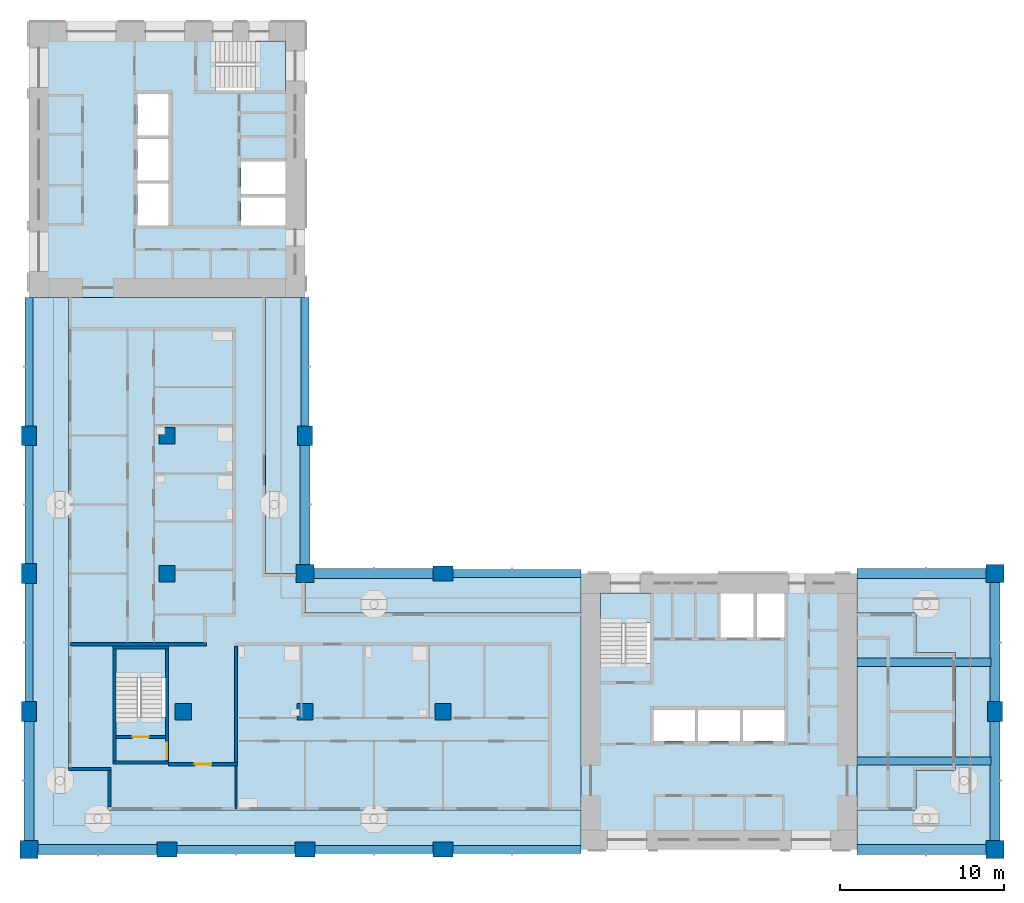
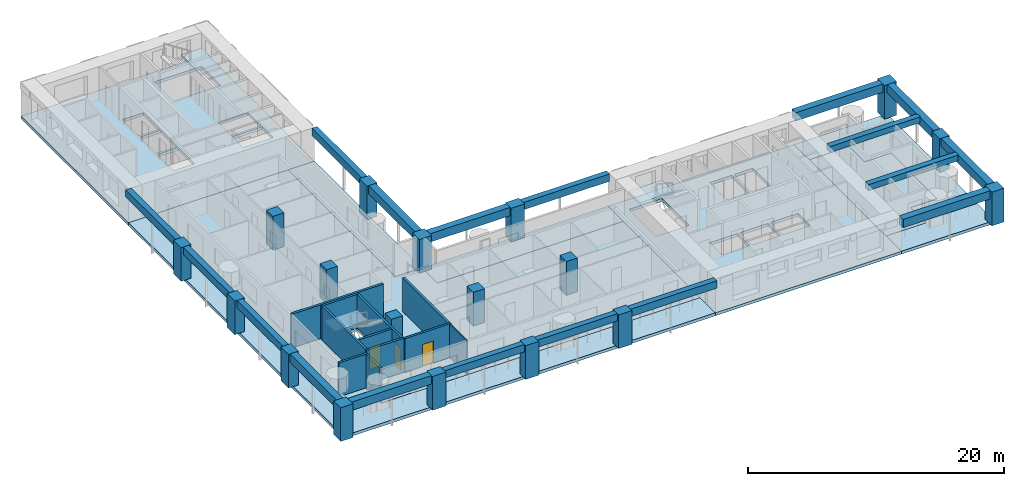
# One storey, part 1 of 13: 18 beams, 18 columns, 12 slabs, 11 walls, 3 doors, 3 openings, 3 elements without a shape of their own.
"""IFC4 building model written with IfcOpenShell, lengths in metres."""

import ifcopenshell
import ifcopenshell.guid

model = None  # the IFC model being written
_history = None  # IfcOwnerHistory: only IFC2X3 demands one
_inside = {}  # id of a spatial element -> (the spatial element, [elements in it])
_under = {}  # id of a project, library or spatial element -> (it, [spatial elements below it])
_declared = {}  # id of a project -> (the project, [libraries it declares])
_typed = {}  # id of a type object -> (the type object, [elements of that type])
_made_of = {}  # id of a material, layer set ... -> (it, [elements and type objects made of it])


def new_model(schema):
    """Start an empty IFC model of exactly this schema.

    Asked for "IFC4X3", IfcOpenShell would pick the latest addendum, in which some entities
    have other attributes; the version numbers below select the first issue.
    IFC2X3 requires an IfcOwnerHistory on every rooted entity: one is made here for all.
    """
    global model, _history
    if schema == "IFC4X3":
        model = ifcopenshell.file(schema_version=(4, 3, 0, 0))
    else:
        model = ifcopenshell.file(schema=schema)
    _inside.clear()
    _under.clear()
    _declared.clear()
    _typed.clear()
    _made_of.clear()
    _history = None
    if model.schema == "IFC2X3":
        org = make("IfcOrganization", Name="unknown")
        user = make(
            "IfcPersonAndOrganization",
            ThePerson=make("IfcPerson", FamilyName="unknown"),
            TheOrganization=org,
        )
        app = make(
            "IfcApplication",
            ApplicationDeveloper=org,
            Version="unknown",
            ApplicationFullName="unknown",
            ApplicationIdentifier="unknown",
        )
        _history = make(
            "IfcOwnerHistory",
            OwningUser=user,
            OwningApplication=app,
            ChangeAction="ADDED",
            CreationDate=0,
        )
    return model


def make(cls, **values):
    """One entity of the class cls with the attributes given. An attribute that is None is left unset."""
    return model.create_entity(
        cls, **{name: value for name, value in values.items() if value is not None}
    )


def rooted(cls, **values):
    """An entity with a GlobalId (a new one), such as an element, a storey or a relation."""
    return make(cls, GlobalId=ifcopenshell.guid.new(), OwnerHistory=_history, **values)


def si_unit(unit_type, name, prefix=None):
    """IfcSIUnit, for example si_unit("LENGTHUNIT", "METRE", prefix="MILLI")."""
    return make("IfcSIUnit", UnitType=unit_type, Prefix=prefix, Name=name)


def assignment(units):
    """IfcUnitAssignment: the units of a project."""
    return None if units is None else make("IfcUnitAssignment", Units=units)


def point(xyz):
    """IfcCartesianPoint."""
    return None if xyz is None else make("IfcCartesianPoint", Coordinates=xyz)


def direction(xyz):
    """IfcDirection."""
    return None if xyz is None else make("IfcDirection", DirectionRatios=xyz)


def frame(location, z_axis=None, x_axis=None):
    """IfcAxis2Placement3D, a coordinate frame: its origin and axes. An axis left out is left unset."""
    return make(
        "IfcAxis2Placement3D",
        Location=point(location),
        Axis=direction(z_axis),
        RefDirection=direction(x_axis),
    )


def frame_2d(location, x_axis=None):
    """IfcAxis2Placement2D, a coordinate frame in the plane: its origin and x axis."""
    return make(
        "IfcAxis2Placement2D", Location=point(location), RefDirection=direction(x_axis)
    )


def origin():
    """The frame at (0, 0, 0) with its axes left unset."""
    return frame((0.0, 0.0, 0.0))


def origin_2d():
    """The frame at (0, 0) in the plane with its x axis left unset."""
    return frame_2d((0.0, 0.0))


def place(relative_to, where):
    """IfcLocalPlacement: puts the frame where relative to a parent placement (None: the world)."""
    return make(
        "IfcLocalPlacement", PlacementRelTo=relative_to, RelativePlacement=where
    )


def context(
    kind, dimensions, precision=None, world=None, true_north=None, identifier=None
):
    """IfcGeometricRepresentationContext, for example the 3D "Model" context."""
    return make(
        "IfcGeometricRepresentationContext",
        ContextIdentifier=identifier,
        ContextType=kind,
        CoordinateSpaceDimension=dimensions,
        Precision=precision,
        WorldCoordinateSystem=world,
        TrueNorth=true_north,
    )


def subcontext(parent, identifier, kind, view, scale=None):
    """IfcGeometricRepresentationSubContext, for example "Body" below "Model"."""
    return make(
        "IfcGeometricRepresentationSubContext",
        ContextIdentifier=identifier,
        ContextType=kind,
        ParentContext=parent,
        TargetScale=scale,
        TargetView=view,
    )


def project(units=None, contexts=None):
    """IfcProject with its units and contexts."""
    return rooted(
        "IfcProject",
        Name="project",
        RepresentationContexts=contexts,
        UnitsInContext=assignment(units),
    )


def spatial(cls, under=None, at=None, **own):
    """A site, building, storey or space (cls), placed at a placement, below another one or the project."""
    s = rooted(cls, ObjectPlacement=at, **own)
    if under is not None:
        _under.setdefault(under.id(), (under, []))[1].append(s)
    return s


def polyline(points):
    """IfcPolyline through the points."""
    return make("IfcPolyline", Points=[point(p) for p in points])


def profile(cls, at=None, kind="AREA", **sizes):
    """A parametric profile (cls). Its sizes go by their IFC names, for example OverallWidth=200.0."""
    return make(cls, ProfileType=kind, Position=at, **sizes)


def rectangle(**sizes):
    """IfcRectangleProfileDef."""
    return profile("IfcRectangleProfileDef", **sizes)


def outline(outer, holes=None, kind="AREA"):
    """IfcArbitraryClosedProfileDef: a profile drawn as a closed curve; with holes, ...WithVoids."""
    if holes is None:
        return make("IfcArbitraryClosedProfileDef", ProfileType=kind, OuterCurve=outer)
    return make(
        "IfcArbitraryProfileDefWithVoids",
        ProfileType=kind,
        OuterCurve=outer,
        InnerCurves=holes,
    )


def extrude(swept, where, along, depth):
    """IfcExtrudedAreaSolid: the profile swept, set in the frame where, extruded along a direction by depth."""
    return make(
        "IfcExtrudedAreaSolid",
        SweptArea=swept,
        Position=where,
        ExtrudedDirection=direction(along),
        Depth=depth,
    )


def shape(context_of_items, identifier, shape_type, items):
    """IfcShapeRepresentation: the items that make up one representation, for example the "Body"."""
    return make(
        "IfcShapeRepresentation",
        ContextOfItems=context_of_items,
        RepresentationIdentifier=identifier,
        RepresentationType=shape_type,
        Items=items,
    )


def material(Name=None, Category=None):
    """IfcMaterial."""
    return make("IfcMaterial", Name=Name, Category=Category)


def layer(
    of_material, thickness, ventilated=None, Name=None, Category=None, Priority=None
):
    """IfcMaterialLayer: one layer of a wall or slab, of a material (None: an air gap)."""
    return make(
        "IfcMaterialLayer",
        Material=of_material,
        LayerThickness=thickness,
        IsVentilated=ventilated,
        Name=Name,
        Category=Category,
        Priority=Priority,
    )


def layer_set(layers, Name=None):
    """IfcMaterialLayerSet."""
    return make("IfcMaterialLayerSet", MaterialLayers=layers, LayerSetName=Name)


def material_profile(
    of_material, cross_section, Name=None, Category=None, Priority=None
):
    """IfcMaterialProfile: a cross section and its material."""
    return make(
        "IfcMaterialProfile",
        Name=Name,
        Material=of_material,
        Profile=cross_section,
        Priority=Priority,
        Category=Category,
    )


def profile_set(profiles, Name=None, composite=None):
    """IfcMaterialProfileSet."""
    return make(
        "IfcMaterialProfileSet",
        Name=Name,
        MaterialProfiles=profiles,
        CompositeProfile=composite,
    )


def made_of(thing, what):
    """Note that an element or type object is made of a material, layer set ...; save() writes the relation."""
    if what is not None:
        _made_of.setdefault(what.id(), (what, []))[1].append(thing)
    return thing


def type_object(cls, material=None, **own):
    """A type object (cls), such as IfcWallType, which elements share."""
    return made_of(rooted(cls, **own), material)


def element(
    cls,
    number,
    at=None,
    inside=None,
    cuts=None,
    type_object=None,
    material=None,
    context=None,
    identifier="Body",
    shape_type=None,
    held_by="IfcProductDefinitionShape",
    body=None,
    shapes=None,
    **own,
):
    """One element of the class cls, such as IfcWall. Its Tag is "e" and its number.

    at: its placement. inside: the storey or other place that contains it. cuts: it is an
    opening in that element (IfcRelVoidsElement). A single representation is given by context,
    identifier, shape_type and body (its items); several are given by shapes. held_by: the class
    of the entity that holds the representations. save() writes the other relations.
    """
    e = rooted(cls, Tag="e%d" % number, ObjectPlacement=at, **own)
    if body is not None:
        shapes = [shape(context, identifier, shape_type, body)]
    if shapes is not None:
        e.Representation = make(held_by, Representations=shapes)
    if inside is not None:
        _inside.setdefault(inside.id(), (inside, []))[1].append(e)
    if cuts is not None:
        rooted(
            "IfcRelVoidsElement", RelatingBuildingElement=cuts, RelatedOpeningElement=e
        )
    if type_object is not None:
        _typed.setdefault(type_object.id(), (type_object, []))[1].append(e)
    return made_of(e, material)


def fill(opening, filler):
    """IfcRelFillsElement: the door or window that sits in an opening."""
    return rooted(
        "IfcRelFillsElement",
        RelatingOpeningElement=opening,
        RelatedBuildingElement=filler,
    )


def aggregate(whole, parts):
    """IfcRelAggregates: a whole, such as a stair, and the parts it consists of."""
    return rooted("IfcRelAggregates", RelatingObject=whole, RelatedObjects=parts)


def save(model, path):
    """Write the relations noted so far, then the file.

    IfcRelAggregates (storeys below a building ...), IfcRelContainedInSpatialStructure (elements
    in a storey), IfcRelDefinesByType, IfcRelAssociatesMaterial and IfcRelDeclares: one each for
    every whole, place, type object, material and project.
    """
    for whole, parts in _under.values():
        aggregate(whole, parts)
    for where, things in _inside.values():
        rooted(
            "IfcRelContainedInSpatialStructure",
            RelatedElements=things,
            RelatingStructure=where,
        )
    for kind, things in _typed.values():
        rooted("IfcRelDefinesByType", RelatedObjects=things, RelatingType=kind)
    for what, things in _made_of.values():
        rooted("IfcRelAssociatesMaterial", RelatedObjects=things, RelatingMaterial=what)
    for by, libraries in _declared.values():
        rooted("IfcRelDeclares", RelatingContext=by, RelatedDefinitions=libraries)
    model.write(path)


model = new_model("IFC4")

# Units and contexts
model_context = context("Model", 3, precision=1e-05, world=origin(), true_north=direction((0.0, 1.0)))
body_context = subcontext(model_context, "Body", "Model", "MODEL_VIEW")
ifc_project = project(units=[si_unit("LENGTHUNIT", "METRE"), si_unit("AREAUNIT", "SQUARE_METRE"), si_unit("VOLUMEUNIT", "CUBIC_METRE"), si_unit("PLANEANGLEUNIT", "RADIAN"), si_unit("MASSUNIT", "GRAM", prefix="KILO")], contexts=[model_context])

# Site, building, storey
site_placement = place(None, origin())
site = spatial("IfcSite", under=ifc_project, at=site_placement, CompositionType="ELEMENT")
building_placement = place(site_placement, origin())
building = spatial("IfcBuilding", under=site, at=building_placement, Name="Vermilion Gate Residences", CompositionType="ELEMENT")
storey_placement = place(building_placement, frame((0.0, 0.0, 165.199951171875)))
storey = spatial("IfcBuildingStorey", under=building, at=storey_placement, Name="L42", CompositionType="ELEMENT", Elevation=165.199951171875)

# Columns
ifc_material_1 = material(Name="Concrete C60", Category="concrete")
ifc_material_profile_1 = material_profile(ifc_material_1, rectangle(XDim=1.0, YDim=1.0, at=origin_2d()), Name="RC-1000x1000")
ifc_profile_set_1 = profile_set([ifc_material_profile_1], Name="Concrete C60")
column_type_1 = type_object("IfcColumnType", Name="RC COLUMN 1000 X 1000 C60", PredefinedType="COLUMN", material=ifc_profile_set_1)
for number, where, z_axis, x_axis, name in (
    (1, (17.800048828125, 16.800048828125, 0.0), (0.0, 0.0, 1.0), (1.0, 0.0, 0.0), "Column 3-C L42"),
    (2, (16.800048828125, 25.199951171875, 0.0), (0.0, 0.0, 1.0), (1.0, 0.0, 0.0), "Column 3-D L42"),
    (3, (16.800048828125, 33.60009765625, 0.0), (0.0, 0.0, 1.0), (1.0, 0.0, 0.0), "Column 3-E L42"),
    (4, (25.199951171875, 16.800048828125, 0.0), (0.0, 0.0, 1.0), (1.0, 0.0, 0.0), "Column 4-C L42"),
    (5, (33.60009765625, 16.800048828125, 0.0), (0.0, 0.0, 1.0), (1.0, 0.0, 0.0), "Column 5-C L42"),
):
    element("IfcColumn", number, at=place(storey_placement, frame(where, z_axis=z_axis, x_axis=x_axis)), inside=storey, type_object=column_type_1, Name=name, PredefinedType="COLUMN", context=body_context, shape_type="SweptSolid", body=[
        extrude(rectangle(XDim=1.0, YDim=1.0, at=origin_2d()), origin(), (0.0, 0.0, 1.0), 3.219970703125),
    ])
ifc_material_2 = material(Name="Concrete C60", Category="concrete")
ifc_material_profile_2 = material_profile(ifc_material_2, rectangle(XDim=1.10009765625, YDim=1.10009765625, at=origin_2d()), Name="RC-1100x1100")
ifc_profile_set_2 = profile_set([ifc_material_profile_2], Name="Concrete C60")
column_type_2 = type_object("IfcColumnType", Name="RC COLUMN 1100 X 1100 C60", PredefinedType="COLUMN", material=ifc_profile_set_2)
for number, where, z_axis, x_axis, name in (
    (6, (8.39990234375, 8.39990234375, 0.0), (0.0, 0.0, 1.0), (1.0, 0.0, 0.0), "Column 2-B L42"),
    (7, (25.199951171875, 25.199951171875, 0.0), (0.0, 0.0, 1.0), (1.0, 0.0, 0.0), "Column 4-D L42"),
    (8, (67.199951171875, 8.39990234375, 0.0), (0.0, 0.0, 1.0), (1.0, 0.0, 0.0), "Column 9-B L42"),
    (9, (67.199951171875, 25.199951171875, 0.0), (0.0, 0.0, 1.0), (1.0, 0.0, 0.0), "Column 9-D L42"),
):
    element("IfcColumn", number, at=place(storey_placement, frame(where, z_axis=z_axis, x_axis=x_axis)), inside=storey, type_object=column_type_2, Name=name, PredefinedType="COLUMN", context=body_context, shape_type="SweptSolid", body=[
        extrude(rectangle(XDim=1.10009765625, YDim=1.10009765625, at=origin_2d()), origin(), (0.0, 0.0, 1.0), 3.219970703125),
    ])
ifc_material_3 = material(Name="Concrete C60", Category="concrete")
ifc_material_profile_3 = material_profile(ifc_material_3, rectangle(XDim=1.199951171875, YDim=0.89990234375, at=origin_2d()), Name="RC-1200x900")
ifc_profile_set_3 = profile_set([ifc_material_profile_3], Name="Concrete C60")
column_type_3 = type_object("IfcColumnType", Name="RC COLUMN 1200 X 900 C60", PredefinedType="COLUMN", material=ifc_profile_set_3)
for number, where, z_axis, x_axis, name in (
    (10, (8.39990234375, 16.800048828125, 0.0), (0.0, 0.0, 1.0), (0.0, 1.0, 0.0), "Column 2-C L42"),
    (11, (8.39990234375, 25.199951171875, 0.0), (0.0, 0.0, 1.0), (0.0, 1.0, 0.0), "Column 2-D L42"),
    (12, (8.39990234375, 33.60009765625, 0.0), (0.0, 0.0, 1.0), (0.0, 1.0, 0.0), "Column 2-E L42"),
    (13, (16.800048828125, 8.39990234375, 0.0), (0.0, 0.0, 1.0), (1.0, 0.0, 0.0), "Column 3-B L42"),
    (14, (25.199951171875, 8.39990234375, 0.0), (0.0, 0.0, 1.0), (1.0, 0.0, 0.0), "Column 4-B L42"),
    (15, (25.199951171875, 33.60009765625, 0.0), (0.0, 0.0, 1.0), (0.0, 1.0, 0.0), "Column 4-E L42"),
    (16, (33.60009765625, 8.39990234375, 0.0), (0.0, 0.0, 1.0), (1.0, 0.0, 0.0), "Column 5-B L42"),
    (17, (33.60009765625, 25.199951171875, 0.0), (0.0, 0.0, 1.0), (1.0, 0.0, 0.0), "Column 5-D L42"),
    (18, (67.199951171875, 16.800048828125, 0.0), (0.0, 0.0, 1.0), (0.0, 1.0, 0.0), "Column 9-C L42"),
):
    element("IfcColumn", number, at=place(storey_placement, frame(where, z_axis=z_axis, x_axis=x_axis)), inside=storey, type_object=column_type_3, Name=name, PredefinedType="COLUMN", context=body_context, shape_type="SweptSolid", body=[
        extrude(rectangle(XDim=1.199951171875, YDim=0.89990234375, at=origin_2d()), origin(), (0.0, 0.0, 1.0), 3.219970703125),
    ])

# Beams
ifc_material_4 = material(Name="Concrete C60 red-oxide pigmented", Category="concrete")
ifc_material_profile_4 = material_profile(ifc_material_4, rectangle(XDim=0.60009765625, YDim=0.800048828125, at=origin_2d()), Name="RC-600x800")
ifc_profile_set_4 = profile_set([ifc_material_profile_4], Name="Concrete C60 red-oxide pigmented")
beam_type_1 = type_object("IfcBeamType", Name="RC CORNER EDGE BEAM 600 X 800 C60", PredefinedType="BEAM", material=ifc_profile_set_4)
for number, where, z_axis, x_axis, name in (
    (19, (8.949951171875, 8.39990234375, 2.820068359375), (1.0, 0.0, 0.0), (0.0, 1.0, 0.0), "Corner edge beam L42 1"),
    (20, (8.39990234375, 8.949951171875, 2.820068359375), (0.0, 1.0, 0.0), (-1.0, 0.0, 0.0), "Corner edge beam L42 2"),
    (21, (25.199951171875, 25.75, 2.820068359375), (0.0, 1.0, 0.0), (-1.0, 0.0, 0.0), "Corner edge beam L42 7"),
    (22, (25.75, 25.199951171875, 2.820068359375), (1.0, 0.0, 0.0), (0.0, 1.0, 0.0), "Corner edge beam L42 10"),
):
    element("IfcBeam", number, at=place(storey_placement, frame(where, z_axis=z_axis, x_axis=x_axis)), inside=storey, type_object=beam_type_1, Name=name, PredefinedType="BEAM", context=body_context, shape_type="SweptSolid", body=[
        extrude(rectangle(XDim=0.60009765625, YDim=0.800048828125, at=origin_2d()), origin(), (0.0, 0.0, 1.0), 7.25),
    ])
beam_1_placement = place(storey_placement, frame((58.800048828125, 8.39990234375, 2.820068359375), z_axis=(1.0, 0.0, 0.0), x_axis=(0.0, 1.0, 0.0)))
element("IfcBeam", 23, at=beam_1_placement, inside=storey, type_object=beam_type_1, Name="Corner edge beam L42 13", PredefinedType="BEAM", context=body_context, shape_type="SweptSolid", body=[
    extrude(rectangle(XDim=0.60009765625, YDim=0.800048828125, at=origin_2d()), origin(), (0.0, 0.0, 1.0), 7.849853515625),
])
for number, where, z_axis, x_axis, name in (
    (24, (67.199951171875, 8.949951171875, 2.820068359375), (0.0, 1.0, 0.0), (-1.0, 0.0, 0.0), "Corner edge beam L42 14"),
    (25, (67.199951171875, 17.39990234375, 2.820068359375), (0.0, 1.0, 0.0), (-1.0, 0.0, 0.0), "Corner edge beam L42 15"),
):
    element("IfcBeam", number, at=place(storey_placement, frame(where, z_axis=z_axis, x_axis=x_axis)), inside=storey, type_object=beam_type_1, Name=name, PredefinedType="BEAM", context=body_context, shape_type="SweptSolid", body=[
        extrude(rectangle(XDim=0.60009765625, YDim=0.800048828125, at=origin_2d()), origin(), (0.0, 0.0, 1.0), 7.25),
    ])
beam_2_placement = place(storey_placement, frame((58.800048828125, 25.199951171875, 2.820068359375), z_axis=(1.0, 0.0, 0.0), x_axis=(0.0, 1.0, 0.0)))
element("IfcBeam", 26, at=beam_2_placement, inside=storey, type_object=beam_type_1, Name="Corner edge beam L42 16", PredefinedType="BEAM", context=body_context, shape_type="SweptSolid", body=[
    extrude(rectangle(XDim=0.60009765625, YDim=0.800048828125, at=origin_2d()), origin(), (0.0, 0.0, 1.0), 7.849853515625),
])
ifc_material_5 = material(Name="Concrete C60 red-oxide pigmented", Category="concrete")
ifc_material_profile_5 = material_profile(ifc_material_5, rectangle(XDim=0.5, YDim=0.699951171875, at=origin_2d()), Name="RC-500x700")
ifc_profile_set_5 = profile_set([ifc_material_profile_5], Name="Concrete C60 red-oxide pigmented")
beam_type_2 = type_object("IfcBeamType", Name="RC EDGE BEAM 500 X 700 C60", PredefinedType="BEAM", material=ifc_profile_set_5)
beam_3_placement = place(storey_placement, frame((8.39990234375, 17.39990234375, 2.8701171875), z_axis=(0.0, 1.0, 0.0), x_axis=(-1.0, 0.0, 0.0)))
element("IfcBeam", 27, at=beam_3_placement, inside=storey, type_object=beam_type_2, Name="Edge beam L42 3", PredefinedType="BEAM", context=body_context, shape_type="SweptSolid", body=[
    extrude(rectangle(XDim=0.5, YDim=0.699951171875, at=origin_2d()), origin(), (0.0, 0.0, 1.0), 7.2001953125),
])
beam_4_placement = place(storey_placement, frame((8.39990234375, 25.800048828125, 2.8701171875), z_axis=(0.0, 1.0, 0.0), x_axis=(-1.0, 0.0, 0.0)))
element("IfcBeam", 28, at=beam_4_placement, inside=storey, type_object=beam_type_2, Name="Edge beam L42 4", PredefinedType="BEAM", context=body_context, shape_type="SweptSolid", body=[
    extrude(rectangle(XDim=0.5, YDim=0.699951171875, at=origin_2d()), origin(), (0.0, 0.0, 1.0), 7.199951171875),
])
beam_5_placement = place(storey_placement, frame((8.39990234375, 34.199951171875, 2.8701171875), z_axis=(0.0, 1.0, 0.0), x_axis=(-1.0, 0.0, 0.0)))
element("IfcBeam", 29, at=beam_5_placement, inside=storey, type_object=beam_type_2, Name="Edge beam L42 5", PredefinedType="BEAM", context=body_context, shape_type="SweptSolid", body=[
    extrude(rectangle(XDim=0.5, YDim=0.699951171875, at=origin_2d()), origin(), (0.0, 0.0, 1.0), 7.800048828125),
])
beam_6_placement = place(storey_placement, frame((17.39990234375, 8.39990234375, 2.8701171875), z_axis=(1.0, 0.0, 0.0), x_axis=(0.0, 1.0, 0.0)))
element("IfcBeam", 30, at=beam_6_placement, inside=storey, type_object=beam_type_2, Name="Edge beam L42 6", PredefinedType="BEAM", context=body_context, shape_type="SweptSolid", body=[
    extrude(rectangle(XDim=0.5, YDim=0.699951171875, at=origin_2d()), origin(), (0.0, 0.0, 1.0), 7.2001953125),
])
beam_7_placement = place(storey_placement, frame((25.199951171875, 34.199951171875, 2.8701171875), z_axis=(0.0, 1.0, 0.0), x_axis=(-1.0, 0.0, 0.0)))
element("IfcBeam", 31, at=beam_7_placement, inside=storey, type_object=beam_type_2, Name="Edge beam L42 8", PredefinedType="BEAM", context=body_context, shape_type="SweptSolid", body=[
    extrude(rectangle(XDim=0.5, YDim=0.699951171875, at=origin_2d()), origin(), (0.0, 0.0, 1.0), 7.800048828125),
])
beam_8_placement = place(storey_placement, frame((25.800048828125, 8.39990234375, 2.8701171875), z_axis=(1.0, 0.0, 0.0), x_axis=(0.0, 1.0, 0.0)))
element("IfcBeam", 32, at=beam_8_placement, inside=storey, type_object=beam_type_2, Name="Edge beam L42 9", PredefinedType="BEAM", context=body_context, shape_type="SweptSolid", body=[
    extrude(rectangle(XDim=0.5, YDim=0.699951171875, at=origin_2d()), origin(), (0.0, 0.0, 1.0), 7.199951171875),
])
for number, where, z_axis, x_axis, name in (
    (33, (34.199951171875, 8.39990234375, 2.8701171875), (1.0, 0.0, 0.0), (0.0, 1.0, 0.0), "Edge beam L42 11"),
    (34, (34.199951171875, 25.199951171875, 2.8701171875), (1.0, 0.0, 0.0), (0.0, 1.0, 0.0), "Edge beam L42 12"),
):
    element("IfcBeam", number, at=place(storey_placement, frame(where, z_axis=z_axis, x_axis=x_axis)), inside=storey, type_object=beam_type_2, Name=name, PredefinedType="BEAM", context=body_context, shape_type="SweptSolid", body=[
        extrude(rectangle(XDim=0.5, YDim=0.699951171875, at=origin_2d()), origin(), (0.0, 0.0, 1.0), 7.800048828125),
    ])
ifc_material_6 = material(Name="Concrete C60", Category="concrete")
ifc_material_profile_6 = material_profile(ifc_material_6, rectangle(XDim=0.5, YDim=0.550048828125, at=origin_2d()), Name="RC-500x550")
ifc_profile_set_6 = profile_set([ifc_material_profile_6], Name="Concrete C60")
beam_type_3 = type_object("IfcBeamType", Name="RC WING BEAM 500 X 550 C60", PredefinedType="BEAM", material=ifc_profile_set_6)
for number, where, z_axis, x_axis, name in (
    (35, (58.800048828125, 13.800048828125, 2.945068359375), (1.0, 0.0, 0.0), (0.0, 1.0, 0.0), "Wing-end beam L42 1"),
    (36, (58.800048828125, 19.800048828125, 2.945068359375), (1.0, 0.0, 0.0), (0.0, 1.0, 0.0), "Wing-end beam L42 2"),
):
    element("IfcBeam", number, at=place(storey_placement, frame(where, z_axis=z_axis, x_axis=x_axis)), inside=storey, type_object=beam_type_3, Name=name, PredefinedType="BEAM", context=body_context, shape_type="SweptSolid", body=[
        extrude(rectangle(XDim=0.5, YDim=0.550048828125, at=origin_2d()), origin(), (0.0, 0.0, 1.0), 8.14990234375),
    ])

# Slabs
ifc_material_7 = material(Name="Concrete C50", Category="concrete")
ifc_layer_1 = layer(ifc_material_7, 0.280029296875)
ifc_layer_set_1 = layer_set([ifc_layer_1], Name="RC CORE FLOOR SLAB 280 C50")
slab_type_1 = type_object("IfcSlabType", Name="RC CORE FLOOR SLAB 280 C50", PredefinedType="FLOOR", material=ifc_layer_set_1)
slab_1_placement = place(storey_placement, frame((0.0, 0.0, -0.280029296875)))
element("IfcSlab", 37, at=slab_1_placement, inside=storey, type_object=slab_type_1, Name="Core floor slab A42", PredefinedType="FLOOR", context=body_context, shape_type="SweptSolid", body=[
    extrude(outline(polyline([(42.0, 8.39990234375), (58.800048828125, 8.39990234375), (58.800048828125, 25.199951171875), (42.0, 25.199951171875), (42.0, 8.39990234375)]), holes=[polyline([(46.39990234375, 15.0), (46.39990234375, 16.89990234375), (48.933349609375, 16.89990234375), (48.933349609375, 15.0), (46.39990234375, 15.0)]), polyline([(49.13330078125, 16.89990234375), (51.666748046875, 16.89990234375), (51.666748046875, 15.0), (49.13330078125, 15.0), (49.13330078125, 16.89990234375)]), polyline([(51.86669921875, 16.89990234375), (54.39990234375, 16.89990234375), (54.39990234375, 15.0), (51.86669921875, 15.0), (51.86669921875, 16.89990234375)]), polyline([(43.199951171875, 19.75), (43.199951171875, 24.0), (46.199951171875, 24.0), (46.199951171875, 19.75), (43.199951171875, 19.75)]), polyline([(50.5, 24.0), (52.5, 24.0), (52.5, 21.300048828125), (50.5, 21.300048828125), (50.5, 24.0)]), polyline([(52.699951171875, 24.0), (54.39990234375, 24.0), (54.39990234375, 21.300048828125), (52.699951171875, 21.300048828125), (52.699951171875, 24.0)])]), origin(), (0.0, 0.0, 1.0), 0.280029296875),
])
slab_2_placement = place(storey_placement, frame((0.0, 0.0, -0.280029296875)))
element("IfcSlab", 38, at=slab_2_placement, inside=storey, type_object=slab_type_1, Name="Core floor slab B42", PredefinedType="FLOOR", context=body_context, shape_type="SweptSolid", body=[
    extrude(outline(polyline([(8.39990234375, 42.0), (25.199951171875, 42.0), (25.199951171875, 58.800048828125), (8.39990234375, 58.800048828125), (8.39990234375, 42.0)]), holes=[polyline([(21.300048828125, 46.39990234375), (21.300048828125, 48.10009765625), (24.0, 48.10009765625), (24.0, 46.39990234375), (21.300048828125, 46.39990234375)]), polyline([(15.0, 48.933349609375), (16.89990234375, 48.933349609375), (16.89990234375, 46.39990234375), (15.0, 46.39990234375), (15.0, 48.933349609375)]), polyline([(21.300048828125, 50.300048828125), (24.0, 50.300048828125), (24.0, 48.300048828125), (21.300048828125, 48.300048828125), (21.300048828125, 50.300048828125)]), polyline([(15.0, 49.13330078125), (15.0, 51.666748046875), (16.89990234375, 51.666748046875), (16.89990234375, 49.13330078125), (15.0, 49.13330078125)]), polyline([(15.0, 54.39990234375), (16.89990234375, 54.39990234375), (16.89990234375, 51.86669921875), (15.0, 51.86669921875), (15.0, 54.39990234375)]), polyline([(19.75, 57.60009765625), (24.0, 57.60009765625), (24.0, 54.60009765625), (19.75, 54.60009765625), (19.75, 57.60009765625)])]), origin(), (0.0, 0.0, 1.0), 0.280029296875),
])
slab_3_placement = place(storey_placement, frame((0.0, 0.0, -0.280029296875)))
element("IfcSlab", 39, at=slab_3_placement, inside=storey, type_object=slab_type_1, Name="Apex stair floor slab 42", PredefinedType="FLOOR", context=body_context, shape_type="SweptSolid", body=[
    extrude(outline(polyline([(13.5, 13.60009765625), (16.89990234375, 13.60009765625), (16.89990234375, 20.800048828125), (13.5, 20.800048828125), (13.5, 13.60009765625)]), holes=[polyline([(16.699951171875, 20.60009765625), (16.699951171875, 16.449951171875), (13.699951171875, 16.449951171875), (13.699951171875, 20.60009765625), (16.699951171875, 20.60009765625)])]), origin(), (0.0, 0.0, 1.0), 0.280029296875),
])
ifc_material_8 = material(Name="Concrete C50", Category="concrete")
ifc_layer_2 = layer(ifc_material_8, 0.280029296875)
ifc_layer_set_2 = layer_set([ifc_layer_2], Name="RC FLAT PLATE 280 C50")
slab_type_2 = type_object("IfcSlabType", Name="RC FLAT PLATE 280 C50", PredefinedType="FLOOR", material=ifc_layer_set_2)
slab_4_placement = place(storey_placement, frame((0.0, 0.0, -0.280029296875)))
element("IfcSlab", 40, at=slab_4_placement, inside=storey, type_object=slab_type_2, Name="Floor slab L42", PredefinedType="FLOOR", context=body_context, shape_type="SweptSolid", body=[
    extrude(outline(polyline([(22.800048828125, 25.199951171875), (22.800048828125, 42.0), (10.800048828125, 42.0), (10.800048828125, 13.199951171875), (13.199951171875, 13.199951171875), (13.199951171875, 10.800048828125), (42.0, 10.800048828125), (42.0, 22.800048828125), (25.199951171875, 22.800048828125), (25.199951171875, 25.199951171875), (22.800048828125, 25.199951171875)]), holes=[polyline([(13.5, 13.60009765625), (13.5, 20.800048828125), (16.89990234375, 20.800048828125), (16.89990234375, 13.60009765625), (13.5, 13.60009765625)])]), origin(), (0.0, 0.0, 1.0), 0.280029296875),
])
slab_5_placement = place(storey_placement, frame((0.0, 0.0, -0.280029296875)))
element("IfcSlab", 41, at=slab_5_placement, inside=storey, type_object=slab_type_2, Name="Floor slab L42", PredefinedType="FLOOR", context=body_context, shape_type="SweptSolid", body=[
    extrude(outline(polyline([(58.800048828125, 22.800048828125), (58.800048828125, 10.800048828125), (62.39990234375, 10.800048828125), (62.39990234375, 13.199951171875), (64.800048828125, 13.199951171875), (64.800048828125, 20.39990234375), (62.39990234375, 20.39990234375), (62.39990234375, 22.800048828125), (58.800048828125, 22.800048828125)])), origin(), (0.0, 0.0, 1.0), 0.280029296875),
])
ifc_material_9 = material(Name="Concrete C50 red-oxide pigmented", Category="concrete")
ifc_layer_3 = layer(ifc_material_9, 0.280029296875)
ifc_layer_set_3 = layer_set([ifc_layer_3], Name="RC LOGGIA SLAB 280 C50")
slab_type_3 = type_object("IfcSlabType", Name="RC LOGGIA SLAB 280 C50", PredefinedType="FLOOR", material=ifc_layer_set_3)
slab_6_placement = place(storey_placement, frame((0.0, 0.0, -0.280029296875)))
element("IfcSlab", 42, at=slab_6_placement, inside=storey, type_object=slab_type_3, Name="Loggia slab L42", PredefinedType="FLOOR", context=body_context, shape_type="SweptSolid", body=[
    extrude(outline(polyline([(8.39990234375, 42.0), (8.39990234375, 8.39990234375), (42.0, 8.39990234375), (42.0, 10.800048828125), (13.199951171875, 10.800048828125), (13.199951171875, 13.199951171875), (10.800048828125, 13.199951171875), (10.800048828125, 42.0), (8.39990234375, 42.0)])), origin(), (0.0, 0.0, 1.0), 0.280029296875),
])
slab_7_placement = place(storey_placement, frame((0.0, 0.0, -0.280029296875)))
element("IfcSlab", 43, at=slab_7_placement, inside=storey, type_object=slab_type_3, Name="Loggia slab L42", PredefinedType="FLOOR", context=body_context, shape_type="SweptSolid", body=[
    extrude(outline(polyline([(64.800048828125, 13.199951171875), (62.39990234375, 13.199951171875), (62.39990234375, 10.800048828125), (58.800048828125, 10.800048828125), (58.800048828125, 8.39990234375), (67.199951171875, 8.39990234375), (67.199951171875, 25.199951171875), (58.800048828125, 25.199951171875), (58.800048828125, 22.800048828125), (62.39990234375, 22.800048828125), (62.39990234375, 20.39990234375), (64.800048828125, 20.39990234375), (64.800048828125, 13.199951171875)])), origin(), (0.0, 0.0, 1.0), 0.280029296875),
])
slab_8_placement = place(storey_placement, frame((0.0, 0.0, -0.280029296875)))
element("IfcSlab", 44, at=slab_8_placement, inside=storey, type_object=slab_type_3, Name="Loggia slab L42", PredefinedType="FLOOR", context=body_context, shape_type="SweptSolid", body=[
    extrude(outline(polyline([(42.0, 25.199951171875), (25.199951171875, 25.199951171875), (25.199951171875, 22.800048828125), (42.0, 22.800048828125), (42.0, 25.199951171875)])), origin(), (0.0, 0.0, 1.0), 0.280029296875),
])
slab_9_placement = place(storey_placement, frame((0.0, 0.0, -0.280029296875)))
element("IfcSlab", 45, at=slab_9_placement, inside=storey, type_object=slab_type_3, Name="Loggia slab L42", PredefinedType="FLOOR", context=body_context, shape_type="SweptSolid", body=[
    extrude(outline(polyline([(22.800048828125, 42.0), (22.800048828125, 25.199951171875), (25.199951171875, 25.199951171875), (25.199951171875, 42.0), (22.800048828125, 42.0)])), origin(), (0.0, 0.0, 1.0), 0.280029296875),
])

# Stair, slab
ifc_material_10 = material(Name="Concrete C50", Category="concrete")
stair_type = type_object("IfcStairType", Name="SPECIAL ESCAPE STAIR 1300", PredefinedType="HALF_TURN_STAIR", material=ifc_material_10)
stair_1_placement = place(storey_placement, origin())
stair_1 = element("IfcStair", 46, at=stair_1_placement, inside=storey, type_object=stair_type, Name="Special escape stair STA1-42", PredefinedType="HALF_TURN_STAIR")
ifc_material_11 = material(Name="Concrete C50", Category="concrete")
ifc_layer_4 = layer(ifc_material_11, 0.199951171875)
ifc_layer_set_4 = layer_set([ifc_layer_4], Name="STAIR LANDING 200 C50")
slab_type_4 = type_object("IfcSlabType", Name="STAIR LANDING 200 C50", PredefinedType="LANDING", material=ifc_layer_set_4)
slab_10_placement = place(storey_placement, frame((0.0, 0.0, 1.550048828125)))
slab_10 = element("IfcSlab", 47, at=slab_10_placement, type_object=slab_type_4, Name="STA1-42 landing 1", PredefinedType="LANDING", context=body_context, shape_type="SweptSolid", body=[
    extrude(outline(polyline([(46.219970703125, 22.179931640625), (46.219970703125, 24.02001953125), (43.179931640625, 24.02001953125), (43.179931640625, 22.179931640625), (46.219970703125, 22.179931640625)])), origin(), (0.0, 0.0, 1.0), 0.199951171875),
])
aggregate(stair_1, [slab_10])

stair_2_placement = place(storey_placement, origin())
stair_2 = element("IfcStair", 48, at=stair_2_placement, inside=storey, type_object=stair_type, Name="Special escape stair STB1-42", PredefinedType="HALF_TURN_STAIR")
slab_11_placement = place(storey_placement, frame((0.0, 0.0, 1.550048828125)))
slab_11 = element("IfcSlab", 49, at=slab_11_placement, type_object=slab_type_4, Name="STB1-42 landing 1", PredefinedType="LANDING", context=body_context, shape_type="SweptSolid", body=[
    extrude(outline(polyline([(24.02001953125, 54.580078125), (24.02001953125, 57.6201171875), (22.179931640625, 57.6201171875), (22.179931640625, 54.580078125), (24.02001953125, 54.580078125)])), origin(), (0.0, 0.0, 1.0), 0.199951171875),
])
aggregate(stair_2, [slab_11])

stair_3_placement = place(storey_placement, origin())
stair_3 = element("IfcStair", 50, at=stair_3_placement, inside=storey, type_object=stair_type, Name="Special escape stair STC1-42", PredefinedType="HALF_TURN_STAIR")
slab_12_placement = place(storey_placement, frame((0.0, 0.0, 1.550048828125)))
slab_12 = element("IfcSlab", 51, at=slab_12_placement, type_object=slab_type_4, Name="STC1-42 landing 1", PredefinedType="LANDING", context=body_context, shape_type="SweptSolid", body=[
    extrude(outline(polyline([(16.719970703125, 18.8798828125), (16.719970703125, 20.6201171875), (13.679931640625, 20.6201171875), (13.679931640625, 18.8798828125), (16.719970703125, 18.8798828125)])), origin(), (0.0, 0.0, 1.0), 0.199951171875),
])
aggregate(stair_3, [slab_12])

# Walls
ifc_material_12 = material(Name="Insulated steel stud wall with terracotta rainscreen", Category="masonry")
ifc_layer_5 = layer(ifc_material_12, 0.199951171875)
ifc_layer_set_5 = layer_set([ifc_layer_5], Name="EXTERNAL WALL 200 TERRACOTTA RAINSCREEN")
wall_type_1 = type_object("IfcWallType", Name="EXTERNAL WALL 200 TERRACOTTA RAINSCREEN", PredefinedType="SOLIDWALL", material=ifc_layer_set_5)
wall_1_placement = place(storey_placement, frame((10.800048828125, 13.300048828125, 0.0), z_axis=(0.0, 0.0, 1.0), x_axis=(1.0, 0.0, 0.0)))
element("IfcWall", 52, at=wall_1_placement, inside=storey, type_object=wall_type_1, Name="External wall", PredefinedType="SOLIDWALL", context=body_context, shape_type="SweptSolid", body=[
    extrude(rectangle(XDim=2.599853515625, YDim=0.199951171875, at=frame_2d((1.2998046875, 0.0))), origin(), (0.0, 0.0, 1.0), 3.219970703125),
])
wall_2_placement = place(storey_placement, frame((13.300048828125, 13.199951171875, 0.0), z_axis=(0.0, 0.0, 1.0), x_axis=(0.0, -1.0, 0.0)))
element("IfcWall", 53, at=wall_2_placement, inside=storey, type_object=wall_type_1, Name="External wall", PredefinedType="SOLIDWALL", context=body_context, shape_type="SweptSolid", body=[
    extrude(rectangle(XDim=2.199951171875, YDim=0.199951171875, at=frame_2d((1.10009765625, 0.0))), origin(), (0.0, 0.0, 1.0), 3.219970703125),
])
ifc_material_13 = material(Name="Plasterboard on steel studs", Category="steel")
ifc_layer_6 = layer(ifc_material_13, 0.10009765625)
ifc_layer_set_6 = layer_set([ifc_layer_6], Name="PARTITION 100")
wall_type_2 = type_object("IfcWallType", Name="PARTITION 100", PredefinedType="PARTITIONING", material=ifc_layer_set_6)
wall_3_placement = place(storey_placement, frame((21.0, 10.89990234375, 0.0), z_axis=(0.0, 0.0, 1.0), x_axis=(0.0, 1.0, 0.0)))
element("IfcWall", 54, at=wall_3_placement, inside=storey, type_object=wall_type_2, Name="Partition", PredefinedType="PARTITIONING", context=body_context, shape_type="SweptSolid", body=[
    extrude(rectangle(XDim=2.60009765625, YDim=0.10009765625, at=frame_2d((1.300048828125, 0.0))), origin(), (0.0, 0.0, 1.0), 3.219970703125),
])

# Wall, opening, door
ifc_material_14 = material(Name="Fire-rated plasterboard on steel studs", Category="steel")
ifc_layer_7 = layer(ifc_material_14, 0.199951171875)
ifc_layer_set_7 = layer_set([ifc_layer_7], Name="PARTY WALL 200 EI 120")
wall_type_3 = type_object("IfcWallType", Name="PARTY WALL 200 EI 120", PredefinedType="PARTITIONING", material=ifc_layer_set_7)
wall_4_placement = place(storey_placement, frame((16.89990234375, 13.60009765625, 0.0), z_axis=(0.0, 0.0, 1.0), x_axis=(1.0, 0.0, 0.0)))
wall_4 = element("IfcWall", 55, at=wall_4_placement, inside=storey, type_object=wall_type_3, Name="Party and corridor wall", PredefinedType="PARTITIONING", context=body_context, shape_type="SweptSolid", body=[
    extrude(rectangle(XDim=4.2001953125, YDim=0.199951171875, at=frame_2d((2.10009765625, 0.0))), origin(), (0.0, 0.0, 1.0), 3.219970703125),
])
opening_1_placement = place(wall_4_placement, frame((1.60009765625, 0.0, 0.0)))
opening_1 = element("IfcOpeningElement", 56, at=opening_1_placement, cuts=wall_4, Name="Opening DA40001", PredefinedType="OPENING", context=body_context, shape_type="SweptSolid", body=[
    extrude(rectangle(XDim=1.0, YDim=2.10009765625, at=frame_2d((0.5, 1.050048828125))), frame((0.0, 0.10986328125, 0.0), z_axis=(0.0, -1.0, 0.0), x_axis=(1.0, 0.0, 0.0)), (0.0, 0.0, 1.0), 0.219970703125),
])
ifc_material_15 = material(Name="Steel", Category="steel")
door_type_1 = type_object("IfcDoorType", Name="ENTRANCE DOOR 1000 X 2100 FD30", OperationType="SINGLE_SWING_LEFT", PredefinedType="DOOR", material=ifc_material_15)
door_1_placement = place(opening_1_placement, frame((1.0, 0.0, 0.0), z_axis=(0.0, 0.0, 1.0), x_axis=(-1.0, 0.0, 0.0)))
door_1 = element("IfcDoor", 57, at=door_1_placement, inside=storey, type_object=door_type_1, Name="Entrance door", OperationType="SINGLE_SWING_LEFT", OverallHeight=2.10009765625, OverallWidth=1.0, PredefinedType="DOOR", context=body_context, shape_type="SweptSolid", body=[
    extrude(rectangle(XDim=1.0, YDim=2.10009765625, at=frame_2d((0.5, 1.050048828125))), frame((0.0, 0.02490234375, 0.0), z_axis=(0.0, -1.0, 0.0), x_axis=(1.0, 0.0, 0.0)), (0.0, 0.0, 1.0), 0.050048828125),
])
fill(opening_1, door_1)

# Walls
wall_5_placement = place(storey_placement, frame((10.89990234375, 20.89990234375, 0.0), z_axis=(0.0, 0.0, 1.0), x_axis=(1.0, 0.0, 0.0)))
element("IfcWall", 58, at=wall_5_placement, inside=storey, type_object=wall_type_3, Name="Party and corridor wall", PredefinedType="PARTITIONING", context=body_context, shape_type="SweptSolid", body=[
    extrude(rectangle(XDim=8.300048828125, YDim=0.199951171875, at=frame_2d((4.14990234375, 0.0))), origin(), (0.0, 0.0, 1.0), 3.219970703125),
])
wall_6_placement = place(storey_placement, frame((21.0, 13.699951171875, 0.0), z_axis=(0.0, 0.0, 1.0), x_axis=(0.0, 1.0, 0.0)))
element("IfcWall", 59, at=wall_6_placement, inside=storey, type_object=wall_type_3, Name="Party and corridor wall", PredefinedType="PARTITIONING", context=body_context, shape_type="SweptSolid", body=[
    extrude(rectangle(XDim=7.10009765625, YDim=0.199951171875, at=frame_2d((3.550048828125, 0.0))), origin(), (0.0, 0.0, 1.0), 3.219970703125),
])
ifc_material_16 = material(Name="Concrete C60", Category="concrete")
ifc_layer_8 = layer(ifc_material_16, 0.199951171875)
ifc_layer_set_8 = layer_set([ifc_layer_8], Name="RC CORE INTERNAL WALL 200 C60")
wall_type_4 = type_object("IfcWallType", Name="RC CORE INTERNAL WALL 200 C60", PredefinedType="SHEAR", material=ifc_layer_set_8)
wall_7_placement = place(storey_placement, frame((13.60009765625, 13.800048828125, 0.0), z_axis=(0.0, 0.0, 1.0), x_axis=(0.0, 1.0, 0.0)))
element("IfcWall", 60, at=wall_7_placement, inside=storey, type_object=wall_type_4, Name="Core internal wall C42-W", PredefinedType="SHEAR", context=body_context, shape_type="SweptSolid", body=[
    extrude(rectangle(XDim=6.800048828125, YDim=0.199951171875, at=frame_2d((3.39990234375, 0.0))), origin(), (0.0, 0.0, 1.0), 3.219970703125),
])

# Wall, opening, door
wall_8_placement = place(storey_placement, frame((16.800048828125, 13.800048828125, 0.0), z_axis=(0.0, 0.0, 1.0), x_axis=(0.0, 1.0, 0.0)))
wall_8 = element("IfcWall", 61, at=wall_8_placement, inside=storey, type_object=wall_type_4, Name="Core internal wall C42-E", PredefinedType="SHEAR", context=body_context, shape_type="SweptSolid", body=[
    extrude(rectangle(XDim=6.800048828125, YDim=0.199951171875, at=frame_2d((3.39990234375, 0.0))), origin(), (0.0, 0.0, 1.0), 3.219970703125),
])
opening_2_placement = place(wall_8_placement, frame((0.10009765625, 0.0, 0.0)))
opening_2 = element("IfcOpeningElement", 62, at=opening_2_placement, cuts=wall_8, Name="Opening DK42201", PredefinedType="OPENING", context=body_context, shape_type="SweptSolid", body=[
    extrude(rectangle(XDim=1.0, YDim=2.10009765625, at=frame_2d((0.5, 1.050048828125))), frame((0.0, 0.10986328125, 0.0), z_axis=(0.0, -1.0, 0.0), x_axis=(1.0, 0.0, 0.0)), (0.0, 0.0, 1.0), 0.219970703125),
])
ifc_material_17 = material(Name="Steel", Category="steel")
door_type_2 = type_object("IfcDoorType", Name="FIRE DOOR FD60 1000 X 2100", OperationType="SINGLE_SWING_LEFT", PredefinedType="DOOR", material=ifc_material_17)
door_2_placement = place(opening_2_placement, frame((1.0, 0.0, 0.0), z_axis=(0.0, 0.0, 1.0), x_axis=(-1.0, 0.0, 0.0)))
door_2 = element("IfcDoor", 63, at=door_2_placement, inside=storey, type_object=door_type_2, Name="Stair vestibule door C42", OperationType="SINGLE_SWING_RIGHT", OverallHeight=2.10009765625, OverallWidth=1.0, PredefinedType="DOOR", context=body_context, shape_type="SweptSolid", body=[
    extrude(rectangle(XDim=1.0, YDim=2.10009765625, at=frame_2d((0.5, 1.050048828125))), frame((0.0, 0.02490234375, 0.0), z_axis=(0.0, -1.0, 0.0), x_axis=(1.0, 0.0, 0.0)), (0.0, 0.0, 1.0), 0.050048828125),
])
fill(opening_2, door_2)

# Walls
for number, where, z_axis, x_axis, name in (
    (64, (13.5, 13.699951171875, 0.0), (0.0, 0.0, 1.0), (1.0, 0.0, 0.0), "Core internal wall C42-S"),
    (65, (13.5, 20.699951171875, 0.0), (0.0, 0.0, 1.0), (1.0, 0.0, 0.0), "Core internal wall C42-N"),
):
    element("IfcWall", number, at=place(storey_placement, frame(where, z_axis=z_axis, x_axis=x_axis)), inside=storey, type_object=wall_type_4, Name=name, PredefinedType="SHEAR", context=body_context, shape_type="SweptSolid", body=[
        extrude(rectangle(XDim=3.39990234375, YDim=0.199951171875, at=frame_2d((1.699951171875, 0.0))), origin(), (0.0, 0.0, 1.0), 3.219970703125),
    ])

# Wall, opening, door
wall_9_placement = place(storey_placement, frame((13.699951171875, 15.25, 0.0), z_axis=(0.0, 0.0, 1.0), x_axis=(1.0, 0.0, 0.0)))
wall_9 = element("IfcWall", 66, at=wall_9_placement, inside=storey, type_object=wall_type_4, Name="Core internal wall C42-P", PredefinedType="SHEAR", context=body_context, shape_type="SweptSolid", body=[
    extrude(rectangle(XDim=3.0, YDim=0.199951171875, at=frame_2d((1.5, 0.0))), origin(), (0.0, 0.0, 1.0), 3.219970703125),
])
opening_3_placement = place(wall_9_placement, frame((1.0, 0.0, 0.0)))
opening_3 = element("IfcOpeningElement", 67, at=opening_3_placement, cuts=wall_9, Name="Opening DK42202", PredefinedType="OPENING", context=body_context, shape_type="SweptSolid", body=[
    extrude(rectangle(XDim=1.0, YDim=2.10009765625, at=frame_2d((0.5, 1.050048828125))), frame((0.0, 0.10986328125, 0.0), z_axis=(0.0, -1.0, 0.0), x_axis=(1.0, 0.0, 0.0)), (0.0, 0.0, 1.0), 0.219970703125),
])
door_3_placement = place(opening_3_placement, origin())
door_3 = element("IfcDoor", 68, at=door_3_placement, inside=storey, type_object=door_type_2, Name="Stair door C42", OperationType="SINGLE_SWING_LEFT", OverallHeight=2.10009765625, OverallWidth=1.0, PredefinedType="DOOR", context=body_context, shape_type="SweptSolid", body=[
    extrude(rectangle(XDim=1.0, YDim=2.10009765625, at=frame_2d((0.5, 1.050048828125))), frame((0.0, 0.02490234375, 0.0), z_axis=(0.0, -1.0, 0.0), x_axis=(1.0, 0.0, 0.0)), (0.0, 0.0, 1.0), 0.050048828125),
])
fill(opening_3, door_3)

save(model, "model.ifc")
